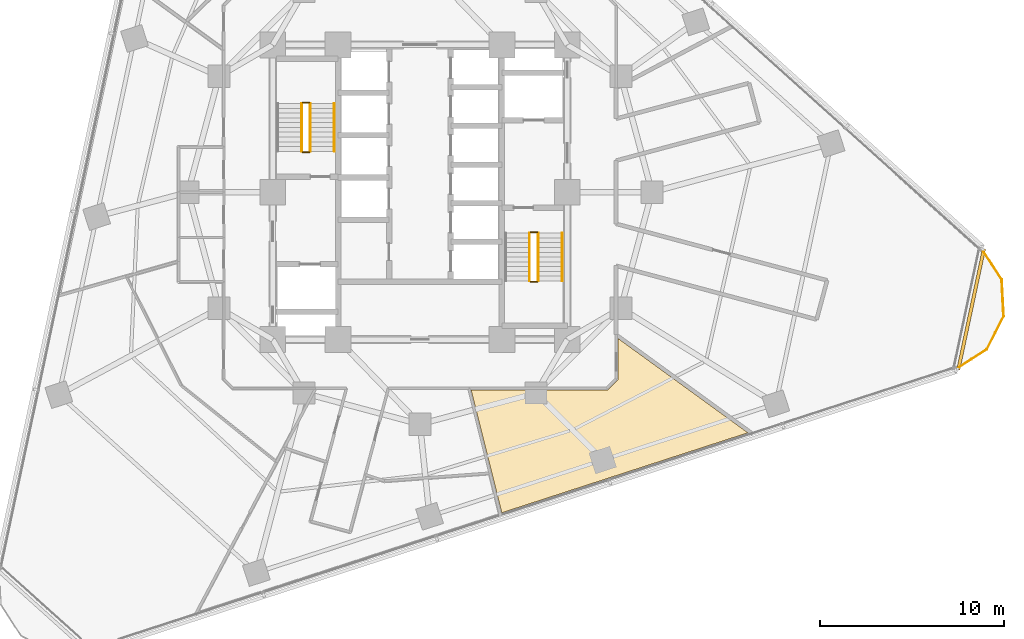
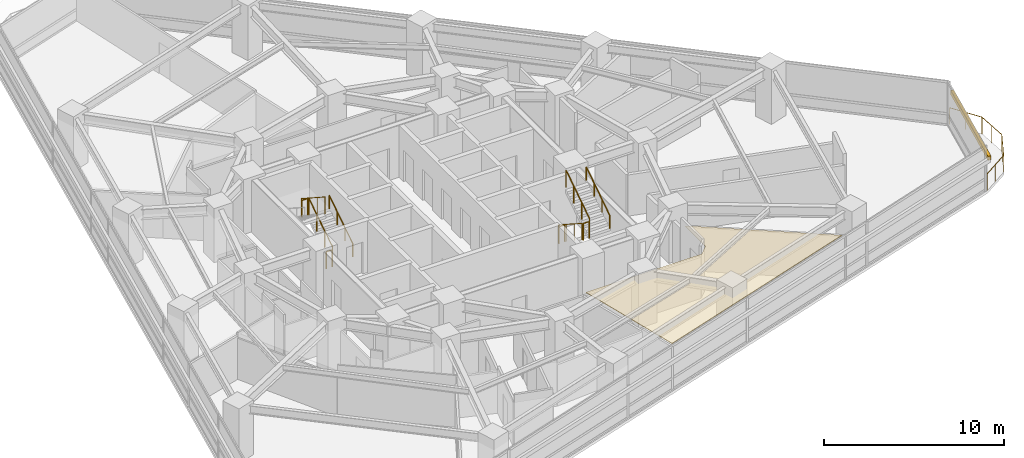
# One storey, part 12 of 13: 11 railings, 1 covering, 1 shading device.
"""IFC4 building model written with IfcOpenShell, lengths in metres."""

from ifc_helpers import new_model, si_unit, direction, frame, origin, origin_2d, place, context, subcontext, project, spatial, polyline, rectangle, circle, outline, extrude, material, layer, layer_set, type_object, element, save


model = new_model("IFC4")

# Units and contexts
model_context = context("Model", 3, precision=1e-05, world=origin(), true_north=direction((0.0, 1.0)))
body_context = subcontext(model_context, "Body", "Model", "MODEL_VIEW")
ifc_project = project(units=[si_unit("LENGTHUNIT", "METRE"), si_unit("AREAUNIT", "SQUARE_METRE"), si_unit("VOLUMEUNIT", "CUBIC_METRE"), si_unit("PLANEANGLEUNIT", "RADIAN"), si_unit("MASSUNIT", "GRAM", prefix="KILO")], contexts=[model_context])

# Site, building, storey
site_placement = place(None, origin())
site = spatial("IfcSite", under=ifc_project, at=site_placement, CompositionType="ELEMENT")
building_placement = place(site_placement, origin())
building = spatial("IfcBuilding", under=site, at=building_placement, Name="Terralouvre Media Tower", CompositionType="ELEMENT")
storey_placement = place(building_placement, frame((0.0, 0.0, 94.0)))
storey = spatial("IfcBuildingStorey", under=building, at=storey_placement, Name="L23", CompositionType="ELEMENT", Elevation=94.0)

# Covering
ifc_material_1 = material(Name="Perforated aluminium acoustic ceiling baffle", Category="aluminium")
ifc_layer_1 = layer(ifc_material_1, 0.0400390625, Name="Perforated Acoustic Metal Tile Ceiling CL-AC1")
ifc_layer_set_1 = layer_set([ifc_layer_1], Name="Perforated aluminium acoustic ceiling baffle")
covering_type = type_object("IfcCoveringType", Name="Perforated Acoustic Metal Tile Ceiling CL-AC1", PredefinedType="CEILING", material=ifc_layer_set_1)
covering_placement = place(storey_placement, frame((0.0, 0.0, 2.97998046875), z_axis=(0.0, 0.0, 1.0), x_axis=(0.951056516295, 0.309016994375, 0.0)))
element("IfcCovering", 1, at=covering_placement, inside=storey, type_object=covering_type, Name="L23 Post Schedule Office 7 Acoustic Ceiling", PredefinedType="CEILING", context=body_context, shape_type="SweptSolid", body=[
    extrude(outline(polyline([(7.08740234375, -12.97509765625), (7.083740234375, -12.984375), (7.07958984375, -12.9931640625), (7.07421875, -13.00146484375), (7.068359375, -13.00927734375), (7.0615234375, -13.016357421875), (7.05419921875, -13.022705078125), (7.046142578125, -13.0283203125), (7.03759765625, -13.033447265625), (6.407470703125, -13.354248046875), (6.398681640625, -13.3583984375), (6.389404296875, -13.361572265625), (6.379638671875, -13.36376953125), (6.3701171875, -13.364990234375), (6.360107421875, -13.365234375), (6.350341796875, -13.364501953125), (6.3408203125, -13.363037109375), (6.331298828125, -13.3603515625), (-0.675048828125, -11.083740234375), (-0.996826171875, -15.69189453125), (-1.153564453125, -17.931884765625), (12.90478515625, -17.931884765625), (7.77197265625, -10.867919921875), (7.08740234375, -12.97509765625)])), origin(), (0.0, 0.0, 1.0), 0.0400390625),
])

# Railings
ifc_material_2 = material(Name="Stainless steel 316 handrail and balustrade", Category="steel")
ifc_layer_2 = layer(ifc_material_2, 0.06005859375, Name="Roof Edge Safety Guardrail GR-ROOF1")
ifc_layer_set_2 = layer_set([ifc_layer_2], Name="Stainless steel 316 handrail and balustrade")
railing_type_1 = type_object("IfcRailingType", Name="Roof Edge Safety Guardrail GR-ROOF1", PredefinedType="GUARDRAIL", material=ifc_layer_set_2)
railing_1_placement = place(storey_placement, frame((29.105224609375, -9.6201171875, 0.0)))
element("IfcRailing", 2, at=railing_1_placement, inside=storey, type_object=railing_type_1, Name="L23 Wind-Corner Perimeter Safety Guardrail C1", PredefinedType="GUARDRAIL", context=body_context, shape_type="SweptSolid", body=[
    extrude(circle(Radius=0.02099609375, at=origin_2d()), frame((0.0, 0.0, 1.12890625), z_axis=(0.838760176544, 0.544501025016, 0.0), x_axis=(-0.544501025016, 0.838760176544, 0.0)), (0.0, 0.0, 1.0), 2.0078125),
    extrude(circle(Radius=0.02099609375, at=origin_2d()), frame((1.68408203125, 1.09326171875, 1.12890625), z_axis=(0.454107952828, 0.890946669099, 0.0), x_axis=(-0.890946669099, 0.454107952828, 0.0)), (0.0, 0.0, 1.0), 2.007568359375),
    extrude(circle(Radius=0.02099609375, at=origin_2d()), frame((2.595703125, 2.8818359375, 1.12890625), z_axis=(-0.052412032372, 0.998625544868, 0.0), x_axis=(-0.998625544868, -0.052412032372, 0.0)), (0.0, 0.0, 1.0), 2.007568359375),
    extrude(circle(Radius=0.02099609375, at=origin_2d()), frame((2.490478515625, 4.88671875, 1.12890625), z_axis=(-0.544868673015, 0.838521394579, 0.0), x_axis=(-0.838521394579, -0.544868673015, 0.0)), (0.0, 0.0, 1.0), 2.0078125),
    extrude(circle(Radius=0.01904296875, at=origin_2d()), origin(), (0.0, 0.0, 1.0), 1.10791015625),
    extrude(circle(Radius=0.01904296875, at=origin_2d()), frame((0.842041015625, 0.546630859375, 0.0)), (0.0, 0.0, 1.0), 1.10791015625),
    extrude(circle(Radius=0.01904296875, at=origin_2d()), frame((1.68408203125, 1.09326171875, 0.0)), (0.0, 0.0, 1.0), 1.10791015625),
    extrude(circle(Radius=0.01904296875, at=origin_2d()), frame((2.139892578125, 1.987548828125, 0.0)), (0.0, 0.0, 1.0), 1.10791015625),
    extrude(circle(Radius=0.01904296875, at=origin_2d()), frame((2.595703125, 2.8818359375, 0.0)), (0.0, 0.0, 1.0), 1.10791015625),
    extrude(circle(Radius=0.01904296875, at=origin_2d()), frame((2.54296875, 3.88427734375, 0.0)), (0.0, 0.0, 1.0), 1.10791015625),
    extrude(circle(Radius=0.01904296875, at=origin_2d()), frame((2.490478515625, 4.88671875, 0.0)), (0.0, 0.0, 1.0), 1.10791015625),
    extrude(circle(Radius=0.01904296875, at=origin_2d()), frame((1.943359375, 5.728515625, 0.0)), (0.0, 0.0, 1.0), 1.10791015625),
    extrude(circle(Radius=0.01904296875, at=origin_2d()), frame((1.396484375, 6.5703125, 0.0)), (0.0, 0.0, 1.0), 1.10791015625),
])
ifc_material_3 = material(Name="Stainless steel 316 handrail and balustrade", Category="steel")
ifc_layer_3 = layer(ifc_material_3, 0.050048828125, Name="Stair Flight Wall Handrail HR-INT1")
ifc_layer_set_3 = layer_set([ifc_layer_3], Name="Stainless steel 316 handrail and balustrade")
railing_type_2 = type_object("IfcRailingType", Name="Stair Flight Wall Handrail HR-INT1", PredefinedType="HANDRAIL", material=ifc_layer_set_3)
for number, where, name in (
    (3, (-4.64990234375, 2.219970703125, 0.168212890625), "L23 ST-01 stair handrail 1"),
    (4, (7.72998046875, -4.820068359375, 2.01806640625), "L23 ST-02 stair handrail 2"),
):
    element("IfcRailing", number, at=place(storey_placement, frame(where)), inside=storey, type_object=railing_type_2, Name=name, PredefinedType="HANDRAIL", context=body_context, shape_type="SweptSolid", body=[
        extrude(circle(Radius=0.02392578125, at=origin_2d()), frame((0.0, 0.0, 0.8759765625), z_axis=(0.0, 0.839648411786, 0.543130320075), x_axis=(-1.0, 0.0, 0.0)), (0.0, 0.0, 1.0), 3.0966796875),
        extrude(circle(Radius=0.02099609375, at=origin_2d()), origin(), (0.0, 0.0, 1.0), 0.851806640625),
        extrude(circle(Radius=0.02099609375, at=origin_2d()), frame((0.0, 0.86669921875, 0.560546875)), (0.0, 0.0, 1.0), 0.851806640625),
        extrude(circle(Radius=0.02099609375, at=origin_2d()), frame((0.0, 1.7333984375, 1.121337890625)), (0.0, 0.0, 1.0), 0.851806640625),
        extrude(circle(Radius=0.02099609375, at=origin_2d()), frame((0.0, 2.60009765625, 1.681884765625)), (0.0, 0.0, 1.0), 0.851806640625),
    ])
ifc_material_4 = material(Name="Stainless steel 316 handrail and balustrade", Category="steel")
ifc_layer_4 = layer(ifc_material_4, 0.050048828125, Name="Stairwell Safety Guardrail GR-INT1")
ifc_layer_set_4 = layer_set([ifc_layer_4], Name="Stainless steel 316 handrail and balustrade")
railing_type_3 = type_object("IfcRailingType", Name="Stairwell Safety Guardrail GR-INT1", PredefinedType="GUARDRAIL", material=ifc_layer_set_4)
railing_2_placement = place(storey_placement, frame((-5.949951171875, 2.219970703125, 0.168212890625)))
element("IfcRailing", 5, at=railing_2_placement, inside=storey, type_object=railing_type_3, Name="L23 ST-01 stair guard 1", PredefinedType="GUARDRAIL", context=body_context, shape_type="SweptSolid", body=[
    extrude(circle(Radius=0.02392578125, at=origin_2d()), frame((0.0, 0.0, 1.1259765625), z_axis=(0.0, 0.839648411786, 0.543130320075), x_axis=(-1.0, 0.0, 0.0)), (0.0, 0.0, 1.0), 3.0966796875),
    extrude(circle(Radius=0.02099609375, at=origin_2d()), origin(), (0.0, 0.0, 1.0), 1.101806640625),
    extrude(circle(Radius=0.02099609375, at=origin_2d()), frame((0.0, 0.86669921875, 0.560546875)), (0.0, 0.0, 1.0), 1.101806640625),
    extrude(circle(Radius=0.02099609375, at=origin_2d()), frame((0.0, 1.7333984375, 1.121337890625)), (0.0, 0.0, 1.0), 1.101806640625),
    extrude(circle(Radius=0.02099609375, at=origin_2d()), frame((0.0, 2.60009765625, 1.681884765625)), (0.0, 0.0, 1.0), 1.101806640625),
])
railing_3_placement = place(storey_placement, frame((-6.0, 4.8701171875, 1.85009765625)))
element("IfcRailing", 6, at=railing_3_placement, inside=storey, type_object=railing_type_3, Name="L23 ST-01 stair guard 2", PredefinedType="GUARDRAIL", context=body_context, shape_type="SweptSolid", body=[
    extrude(circle(Radius=0.02392578125, at=origin_2d()), frame((0.0, 0.0, 1.1259765625), z_axis=(-1.0, 0.0, 0.0), x_axis=(0.0, -1.0, 0.0)), (0.0, 0.0, 1.0), 0.3798828125),
    extrude(circle(Radius=0.02099609375, at=origin_2d()), origin(), (0.0, 0.0, 1.0), 1.101806640625),
    extrude(circle(Radius=0.02099609375, at=origin_2d()), frame((-0.3798828125, 0.0, 0.0)), (0.0, 0.0, 1.0), 1.101806640625),
])
railing_4_placement = place(storey_placement, frame((-6.429931640625, 4.820068359375, 2.01806640625)))
element("IfcRailing", 7, at=railing_4_placement, inside=storey, type_object=railing_type_3, Name="L23 ST-01 stair guard 3", PredefinedType="GUARDRAIL", context=body_context, shape_type="SweptSolid", body=[
    extrude(circle(Radius=0.02392578125, at=origin_2d()), frame((0.0, 0.0, 1.1259765625), z_axis=(0.0, -0.839648411786, 0.543130320075), x_axis=(1.0, 0.0, 0.0)), (0.0, 0.0, 1.0), 3.0966796875),
    extrude(circle(Radius=0.02099609375, at=origin_2d()), origin(), (0.0, 0.0, 1.0), 1.101806640625),
    extrude(circle(Radius=0.02099609375, at=origin_2d()), frame((0.0, -0.86669921875, 0.560546875)), (0.0, 0.0, 1.0), 1.101806640625),
    extrude(circle(Radius=0.02099609375, at=origin_2d()), frame((0.0, -1.7333984375, 1.121337890625)), (0.0, 0.0, 1.0), 1.101806640625),
    extrude(circle(Radius=0.02099609375, at=origin_2d()), frame((0.0, -2.60009765625, 1.681884765625)), (0.0, 0.0, 1.0), 1.101806640625),
])
railing_5_placement = place(storey_placement, frame((-6.0, 2.169921875, 0.0)))
element("IfcRailing", 8, at=railing_5_placement, inside=storey, type_object=railing_type_3, Name="L23 ST-01 stair guard 4", PredefinedType="GUARDRAIL", context=body_context, shape_type="SweptSolid", body=[
    extrude(circle(Radius=0.02392578125, at=origin_2d()), frame((0.0, 0.0, 1.1259765625), z_axis=(-1.0, 0.0, 0.0), x_axis=(0.0, -1.0, 0.0)), (0.0, 0.0, 1.0), 0.3798828125),
    extrude(circle(Radius=0.02099609375, at=origin_2d()), origin(), (0.0, 0.0, 1.0), 1.101806640625),
    extrude(circle(Radius=0.02099609375, at=origin_2d()), frame((-0.3798828125, 0.0, 0.0)), (0.0, 0.0, 1.0), 1.101806640625),
])
railing_6_placement = place(storey_placement, frame((5.949951171875, -2.219970703125, 0.168212890625)))
element("IfcRailing", 9, at=railing_6_placement, inside=storey, type_object=railing_type_3, Name="L23 ST-02 stair guard 1", PredefinedType="GUARDRAIL", context=body_context, shape_type="SweptSolid", body=[
    extrude(circle(Radius=0.02392578125, at=origin_2d()), frame((0.0, 0.0, 1.1259765625), z_axis=(0.0, -0.839648411786, 0.543130320075), x_axis=(1.0, 0.0, 0.0)), (0.0, 0.0, 1.0), 3.0966796875),
    extrude(circle(Radius=0.02099609375, at=origin_2d()), origin(), (0.0, 0.0, 1.0), 1.101806640625),
    extrude(circle(Radius=0.02099609375, at=origin_2d()), frame((0.0, -0.86669921875, 0.560546875)), (0.0, 0.0, 1.0), 1.101806640625),
    extrude(circle(Radius=0.02099609375, at=origin_2d()), frame((0.0, -1.7333984375, 1.121337890625)), (0.0, 0.0, 1.0), 1.101806640625),
    extrude(circle(Radius=0.02099609375, at=origin_2d()), frame((0.0, -2.60009765625, 1.681884765625)), (0.0, 0.0, 1.0), 1.101806640625),
])
railing_7_placement = place(storey_placement, frame((6.0, -4.8701171875, 1.85009765625)))
element("IfcRailing", 10, at=railing_7_placement, inside=storey, type_object=railing_type_3, Name="L23 ST-02 stair guard 2", PredefinedType="GUARDRAIL", context=body_context, shape_type="SweptSolid", body=[
    extrude(circle(Radius=0.02392578125, at=origin_2d()), frame((0.0, 0.0, 1.1259765625), z_axis=(1.0, 0.0, 0.0), x_axis=(0.0, 1.0, 0.0)), (0.0, 0.0, 1.0), 0.3798828125),
    extrude(circle(Radius=0.02099609375, at=origin_2d()), origin(), (0.0, 0.0, 1.0), 1.101806640625),
    extrude(circle(Radius=0.02099609375, at=origin_2d()), frame((0.3798828125, 0.0, 0.0)), (0.0, 0.0, 1.0), 1.101806640625),
])
railing_8_placement = place(storey_placement, frame((6.429931640625, -4.820068359375, 2.01806640625)))
element("IfcRailing", 11, at=railing_8_placement, inside=storey, type_object=railing_type_3, Name="L23 ST-02 stair guard 3", PredefinedType="GUARDRAIL", context=body_context, shape_type="SweptSolid", body=[
    extrude(circle(Radius=0.02392578125, at=origin_2d()), frame((0.0, 0.0, 1.1259765625), z_axis=(0.0, 0.839648411786, 0.543130320075), x_axis=(-1.0, 0.0, 0.0)), (0.0, 0.0, 1.0), 3.0966796875),
    extrude(circle(Radius=0.02099609375, at=origin_2d()), origin(), (0.0, 0.0, 1.0), 1.101806640625),
    extrude(circle(Radius=0.02099609375, at=origin_2d()), frame((0.0, 0.86669921875, 0.560546875)), (0.0, 0.0, 1.0), 1.101806640625),
    extrude(circle(Radius=0.02099609375, at=origin_2d()), frame((0.0, 1.7333984375, 1.121337890625)), (0.0, 0.0, 1.0), 1.101806640625),
    extrude(circle(Radius=0.02099609375, at=origin_2d()), frame((0.0, 2.60009765625, 1.681884765625)), (0.0, 0.0, 1.0), 1.101806640625),
])
railing_9_placement = place(storey_placement, frame((6.0, -2.169921875, 0.0)))
element("IfcRailing", 12, at=railing_9_placement, inside=storey, type_object=railing_type_3, Name="L23 ST-02 stair guard 4", PredefinedType="GUARDRAIL", context=body_context, shape_type="SweptSolid", body=[
    extrude(circle(Radius=0.02392578125, at=origin_2d()), frame((0.0, 0.0, 1.1259765625), z_axis=(1.0, 0.0, 0.0), x_axis=(0.0, 1.0, 0.0)), (0.0, 0.0, 1.0), 0.3798828125),
    extrude(circle(Radius=0.02099609375, at=origin_2d()), origin(), (0.0, 0.0, 1.0), 1.101806640625),
    extrude(circle(Radius=0.02099609375, at=origin_2d()), frame((0.3798828125, 0.0, 0.0)), (0.0, 0.0, 1.0), 1.101806640625),
])

# Shading device
ifc_material_5 = material(Name="Extruded terracotta baguette sunshade louvres", Category="masonry")
shading_device_type = type_object("IfcShadingDeviceType", Name="Terracotta Baguette Sunshade Louvre Screen TB-LV1", PredefinedType="USERDEFINED", material=ifc_material_5)
shading_device_placement = place(storey_placement, frame((29.935302734375, -6.363037109375, 2.02392578125), z_axis=(0.0, 0.0, 1.0), x_axis=(0.207911611348, 0.978147617626, 0.0)))
element("IfcShadingDevice", 13, at=shading_device_placement, inside=storey, type_object=shading_device_type, Name="CW-L23-C1 Terracotta Baguette Sunshade Louvre", ObjectType="BAGUETTE", PredefinedType="USERDEFINED", context=body_context, shape_type="SweptSolid", body=[
    extrude(rectangle(XDim=6.720458984375, YDim=0.179931640625, at=origin_2d()), origin(), (0.0, 0.0, 1.0), 0.280029296875),
])

save(model, "model.ifc")
